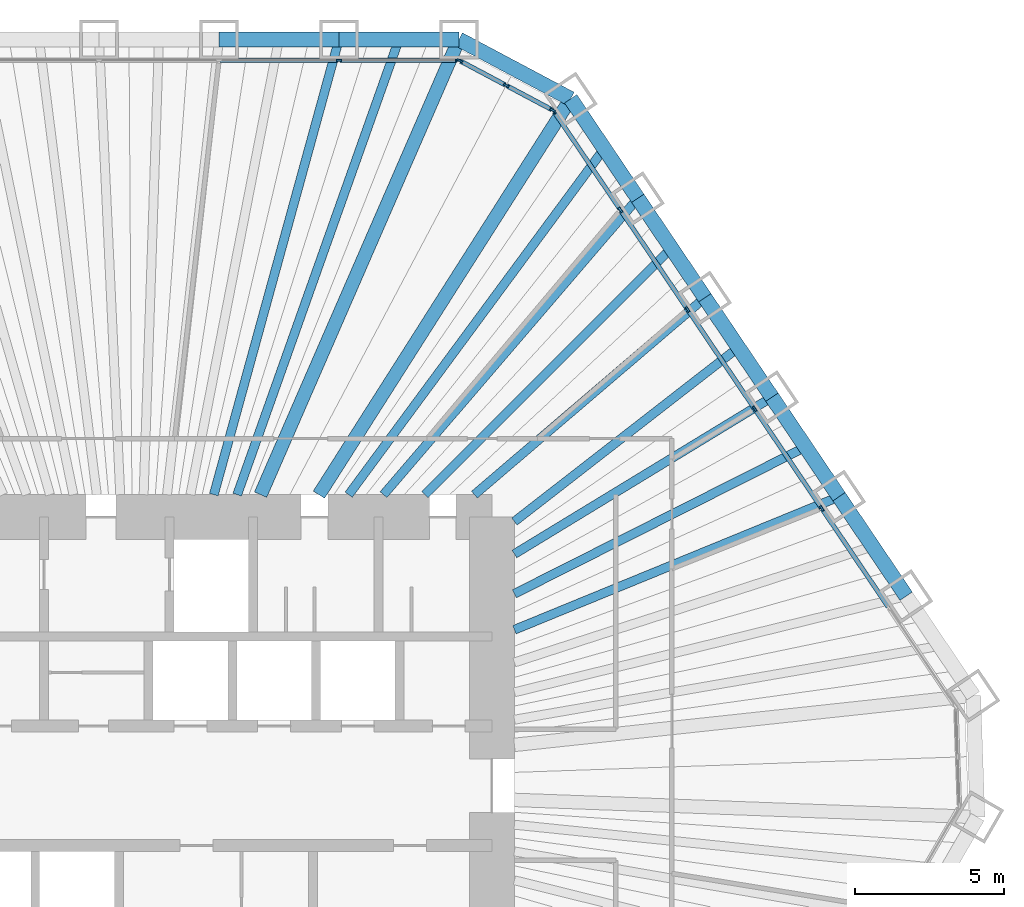
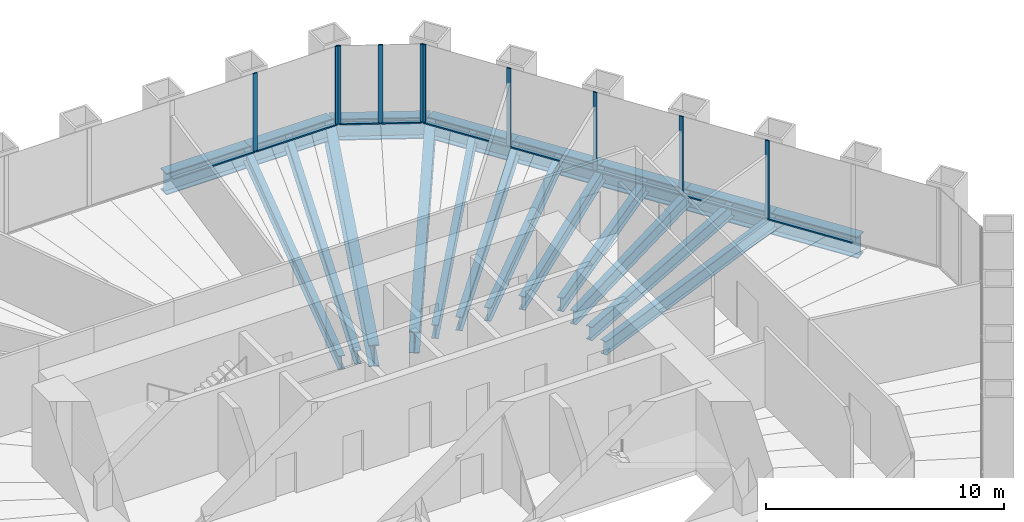
# One storey, part 7 of 13: 20 beams, 19 members, 3 elements without a shape of their own.
"""IFC4 building model written with IfcOpenShell, lengths in metres."""

from ifc_helpers import new_model, si_unit, direction, frame, origin, origin_2d, place, context, subcontext, project, spatial, rectangle, i_section, extrude, material, material_profile, profile_set, type_object, element, aggregate, save


model = new_model("IFC4")

# Units and contexts
model_context = context("Model", 3, precision=1e-05, world=origin(), true_north=direction((0.0, 1.0)))
body_context = subcontext(model_context, "Body", "Model", "MODEL_VIEW")
ifc_project = project(units=[si_unit("LENGTHUNIT", "METRE"), si_unit("AREAUNIT", "SQUARE_METRE"), si_unit("VOLUMEUNIT", "CUBIC_METRE"), si_unit("PLANEANGLEUNIT", "RADIAN"), si_unit("MASSUNIT", "GRAM", prefix="KILO")], contexts=[model_context])

# Site, building, storey
site_placement = place(None, origin())
site = spatial("IfcSite", under=ifc_project, at=site_placement, CompositionType="ELEMENT")
building_placement = place(site_placement, origin())
building = spatial("IfcBuilding", under=site, at=building_placement, Name="Qingtian Harvest Tower", CompositionType="ELEMENT")
storey_placement = place(building_placement, frame((0.0, 0.0, 157.60009765625)))
storey = spatial("IfcBuildingStorey", under=building, at=storey_placement, Name="L33", CompositionType="ELEMENT", Elevation=157.60009765625)

# Beams
ifc_material_1 = material(Name="Steel SM570MC", Category="steel")
ifc_material_profile_1 = material_profile(ifc_material_1, i_section(OverallWidth=0.449951171875, OverallDepth=1.10009765625, WebThickness=0.02197265625, FlangeThickness=0.044921875, at=origin_2d()), Name="H1100x450x22x45")
ifc_profile_set_1 = profile_set([ifc_material_profile_1], Name="Steel SM570MC")
beam_type_1 = type_object("IfcBeamType", Name="Corner floor beam FB8 H1100x450x22x45", PredefinedType="BEAM", material=ifc_profile_set_1)
beam_1_placement = place(storey_placement, frame((10.892822265625, 25.0, -0.72021484375), z_axis=(-0.399451016538, -0.916754539333, 0.0), x_axis=(0.916754539333, -0.399451016538, 0.0)))
element("IfcBeam", 1, at=beam_1_placement, inside=storey, type_object=beam_type_1, Name="Floor beam FB8 N6", PredefinedType="BEAM", context=body_context, shape_type="SweptSolid", body=[
    extrude(i_section(OverallWidth=0.449951171875, OverallDepth=1.10009765625, WebThickness=0.02197265625, FlangeThickness=0.044921875, at=origin_2d()), origin(), (0.0, 0.0, 1.0), 16.634765625),
])
beam_2_placement = place(storey_placement, frame((14.634765625, 23.01025390625, -0.72021484375), z_axis=(-0.536660352939, -0.843798355997, 0.0), x_axis=(0.843798355997, -0.536660352939, 0.0)))
element("IfcBeam", 2, at=beam_2_placement, inside=storey, type_object=beam_type_1, Name="Floor beam FB8 NE0", PredefinedType="BEAM", context=body_context, shape_type="SweptSolid", body=[
    extrude(i_section(OverallWidth=0.449951171875, OverallDepth=1.10009765625, WebThickness=0.02197265625, FlangeThickness=0.044921875, at=origin_2d()), origin(), (0.0, 0.0, 1.0), 15.71484375),
])
ifc_material_2 = material(Name="Steel SN490B", Category="steel")
ifc_material_profile_2 = material_profile(ifc_material_2, i_section(OverallWidth=0.300048828125, OverallDepth=0.699951171875, WebThickness=0.012939453125, FlangeThickness=0.02392578125, at=origin_2d()), Name="H700x300x13x24")
ifc_profile_set_2 = profile_set([ifc_material_profile_2], Name="Steel SN490B")
beam_type_2 = type_object("IfcBeamType", Name="Floor beam FB2 H700x300x13x24", PredefinedType="BEAM", material=ifc_profile_set_2)
beam_3_placement = place(storey_placement, frame((6.873779296875, 25.0, -0.52001953125), z_axis=(-0.265119170108, -0.964215653078, 0.0), x_axis=(0.964215653078, -0.265119170108, 0.0)))
element("IfcBeam", 3, at=beam_3_placement, inside=storey, type_object=beam_type_2, Name="Floor beam FB2 N5", PredefinedType="BEAM", context=body_context, shape_type="SweptSolid", body=[
    extrude(i_section(OverallWidth=0.300048828125, OverallDepth=0.699951171875, WebThickness=0.012939453125, FlangeThickness=0.02392578125, at=origin_2d()), origin(), (0.0, 0.0, 1.0), 15.81591796875),
])
beam_4_placement = place(storey_placement, frame((16.88232421875, 19.67822265625, -0.52001953125), z_axis=(-0.651140196702, -0.758957471957, 0.0), x_axis=(0.758957471957, -0.651140196702, 0.0)))
element("IfcBeam", 4, at=beam_4_placement, inside=storey, type_object=beam_type_2, Name="Floor beam FB2 NE1", PredefinedType="BEAM", context=body_context, shape_type="SweptSolid", body=[
    extrude(i_section(OverallWidth=0.300048828125, OverallDepth=0.699951171875, WebThickness=0.012939453125, FlangeThickness=0.02392578125, at=origin_2d()), origin(), (0.0, 0.0, 1.0), 13.081298828125),
])
beam_5_placement = place(storey_placement, frame((19.129638671875, 16.346435546875, -0.52001953125), z_axis=(-0.760241810635, -0.649640199928, 0.0), x_axis=(0.649640199928, -0.760241810635, 0.0)))
element("IfcBeam", 5, at=beam_5_placement, inside=storey, type_object=beam_type_2, Name="Floor beam FB2 NE2", PredefinedType="BEAM", context=body_context, shape_type="SweptSolid", body=[
    extrude(i_section(OverallWidth=0.300048828125, OverallDepth=0.699951171875, WebThickness=0.012939453125, FlangeThickness=0.02392578125, at=origin_2d()), origin(), (0.0, 0.0, 1.0), 10.154052734375),
])
beam_6_placement = place(storey_placement, frame((21.377197265625, 13.014404296875, -0.52001953125), z_axis=(-0.854160745245, -0.520009058846, 0.0), x_axis=(0.520009058846, -0.854160745245, 0.0)))
element("IfcBeam", 6, at=beam_6_placement, inside=storey, type_object=beam_type_2, Name="Floor beam FB2 NE3", PredefinedType="BEAM", context=body_context, shape_type="SweptSolid", body=[
    extrude(i_section(OverallWidth=0.300048828125, OverallDepth=0.699951171875, WebThickness=0.012939453125, FlangeThickness=0.02392578125, at=origin_2d()), origin(), (0.0, 0.0, 1.0), 10.10009765625),
])
beam_7_placement = place(storey_placement, frame((23.62451171875, 9.682373046875, -0.52001953125), z_axis=(-0.925304541163, -0.379224875375, 0.0), x_axis=(0.379224875375, -0.925304541163, 0.0)))
element("IfcBeam", 7, at=beam_7_placement, inside=storey, type_object=beam_type_2, Name="Floor beam FB2 NE4", PredefinedType="BEAM", context=body_context, shape_type="SweptSolid", body=[
    extrude(i_section(OverallWidth=0.300048828125, OverallDepth=0.699951171875, WebThickness=0.012939453125, FlangeThickness=0.02392578125, at=origin_2d()), origin(), (0.0, 0.0, 1.0), 11.75244140625),
])
ifc_material_3 = material(Name="Steel SN490B", Category="steel")
ifc_material_profile_3 = material_profile(ifc_material_3, i_section(OverallWidth=0.300048828125, OverallDepth=0.699951171875, WebThickness=0.012939453125, FlangeThickness=0.02392578125, at=origin_2d()), Name="H700x300x13x24")
ifc_profile_set_3 = profile_set([ifc_material_profile_3], Name="Steel SN490B")
beam_type_3 = type_object("IfcBeamType", Name="Floor joist J2 H700x300x13x24", PredefinedType="JOIST", material=ifc_profile_set_3)
beam_8_placement = place(storey_placement, frame((8.88330078125, 25.0, -0.52001953125), z_axis=(-0.334829909573, -0.94227858495, 0.0), x_axis=(0.94227858495, -0.334829909573, 0.0)))
element("IfcBeam", 8, at=beam_8_placement, inside=storey, type_object=beam_type_3, Name="Floor joist J2 N5", PredefinedType="JOIST", context=body_context, shape_type="SweptSolid", body=[
    extrude(i_section(OverallWidth=0.300048828125, OverallDepth=0.699951171875, WebThickness=0.012939453125, FlangeThickness=0.02392578125, at=origin_2d()), origin(), (0.0, 0.0, 1.0), 16.18408203125),
])
beam_9_placement = place(storey_placement, frame((15.758544921875, 21.34423828125, -0.52001953125), z_axis=(-0.593960386058, -0.804494288229, 0.0), x_axis=(0.804494288229, -0.593960386058, 0.0)))
element("IfcBeam", 9, at=beam_9_placement, inside=storey, type_object=beam_type_3, Name="Floor joist J2 NE0", PredefinedType="JOIST", context=body_context, shape_type="SweptSolid", body=[
    extrude(i_section(OverallWidth=0.300048828125, OverallDepth=0.699951171875, WebThickness=0.012939453125, FlangeThickness=0.02392578125, at=origin_2d()), origin(), (0.0, 0.0, 1.0), 14.411865234375),
])
beam_10_placement = place(storey_placement, frame((18.005859375, 18.012451171875, -0.52001953125), z_axis=(-0.706970932755, -0.707242603524, 0.0), x_axis=(0.707242603524, -0.706970932755, 0.0)))
element("IfcBeam", 10, at=beam_10_placement, inside=storey, type_object=beam_type_3, Name="Floor joist J2 NE1", PredefinedType="JOIST", context=body_context, shape_type="SweptSolid", body=[
    extrude(i_section(OverallWidth=0.300048828125, OverallDepth=0.699951171875, WebThickness=0.012939453125, FlangeThickness=0.02392578125, at=origin_2d()), origin(), (0.0, 0.0, 1.0), 11.6826171875),
])
beam_11_placement = place(storey_placement, frame((20.25341796875, 14.680419921875, -0.52001953125), z_axis=(-0.789641272199, -0.61356879096, 0.0), x_axis=(0.61356879096, -0.789641272199, 0.0)))
element("IfcBeam", 11, at=beam_11_placement, inside=storey, type_object=beam_type_3, Name="Floor joist J2 NE2", PredefinedType="JOIST", context=body_context, shape_type="SweptSolid", body=[
    extrude(i_section(OverallWidth=0.300048828125, OverallDepth=0.699951171875, WebThickness=0.012939453125, FlangeThickness=0.02392578125, at=origin_2d()), origin(), (0.0, 0.0, 1.0), 9.502197265625),
])
beam_12_placement = place(storey_placement, frame((22.500732421875, 11.348388671875, -0.52001953125), z_axis=(-0.892861323685, -0.450331718478, 0.0), x_axis=(0.450331718478, -0.892861323685, 0.0)))
element("IfcBeam", 12, at=beam_12_placement, inside=storey, type_object=beam_type_3, Name="Floor joist J2 NE3", PredefinedType="JOIST", context=body_context, shape_type="SweptSolid", body=[
    extrude(i_section(OverallWidth=0.300048828125, OverallDepth=0.699951171875, WebThickness=0.012939453125, FlangeThickness=0.02392578125, at=origin_2d()), origin(), (0.0, 0.0, 1.0), 10.920654296875),
])

# Curtain wall, members
ifc_material_4 = material(Name="Bronze-anodised aluminium curtain wall", Category="aluminium")
curtain_wall_type = type_object("IfcCurtainWallType", Name="Curtain wall CW4 office", PredefinedType="USERDEFINED", material=ifc_material_4)
curtain_wall_1_placement = place(storey_placement, origin())
curtain_wall_1 = element("IfcCurtainWall", 13, at=curtain_wall_1_placement, inside=storey, type_object=curtain_wall_type, Name="Curtain wall CW4 L33 N0-5", ObjectType="RECESSED CURTAIN WALL", PredefinedType="USERDEFINED")
ifc_material_5 = material(Name="Bronze-anodised aluminium mullion", Category="aluminium")
ifc_material_profile_4 = material_profile(ifc_material_5, rectangle(XDim=0.06494140625, YDim=0.199951171875, at=origin_2d()), Name="AL 65x200")
ifc_profile_set_4 = profile_set([ifc_material_profile_4], Name="Bronze-anodised aluminium mullion")
member_type_1 = type_object("IfcMemberType", Name="Mullion CWM 65x200", PredefinedType="MULLION", material=ifc_profile_set_4)
member_1_placement = place(storey_placement, frame((6.873779296875, 24.300048828125, 0.0), z_axis=(0.0, 0.0, 1.0), x_axis=(0.0, 1.0, 0.0)))
member_1 = element("IfcMember", 14, at=member_1_placement, type_object=member_type_1, Name="CW4 mullion 6", PredefinedType="MULLION", context=body_context, shape_type="SweptSolid", body=[
    extrude(rectangle(XDim=0.06494140625, YDim=0.199951171875, at=origin_2d()), origin(), (0.0, 0.0, 1.0), 4.02978515625),
])
member_2_placement = place(storey_placement, frame((10.8603515625, 24.300048828125, 0.0), z_axis=(0.0, 0.0, 1.0), x_axis=(0.0, 1.0, 0.0)))
member_2 = element("IfcMember", 15, at=member_2_placement, type_object=member_type_1, Name="CW4 mullion 7", PredefinedType="MULLION", context=body_context, shape_type="SweptSolid", body=[
    extrude(rectangle(XDim=0.06494140625, YDim=0.199951171875, at=origin_2d()), origin(), (0.0, 0.0, 1.0), 4.02978515625),
])

curtain_wall_2_placement = place(storey_placement, origin())
curtain_wall_2 = element("IfcCurtainWall", 16, at=curtain_wall_2_placement, inside=storey, type_object=curtain_wall_type, Name="Curtain wall CW4 L33 NC", ObjectType="RECESSED CURTAIN WALL", PredefinedType="USERDEFINED")
member_3_placement = place(storey_placement, frame((10.92138671875, 24.28466796875, 0.0), z_axis=(0.0, 0.0, 1.0), x_axis=(0.469471562786, 0.882947592859, 0.0)))
member_3 = element("IfcMember", 17, at=member_3_placement, type_object=member_type_1, Name="CW4 mullion 1", PredefinedType="MULLION", context=body_context, shape_type="SweptSolid", body=[
    extrude(rectangle(XDim=0.06494140625, YDim=0.199951171875, at=origin_2d()), origin(), (0.0, 0.0, 1.0), 4.02978515625),
])
member_4_placement = place(storey_placement, frame((12.4736328125, 23.45947265625, 0.0), z_axis=(0.0, 0.0, 1.0), x_axis=(0.469471562786, 0.882947592859, 0.0)))
member_4 = element("IfcMember", 18, at=member_4_placement, type_object=member_type_1, Name="CW4 mullion 2", PredefinedType="MULLION", context=body_context, shape_type="SweptSolid", body=[
    extrude(rectangle(XDim=0.06494140625, YDim=0.199951171875, at=origin_2d()), origin(), (0.0, 0.0, 1.0), 4.02978515625),
])
member_5_placement = place(storey_placement, frame((14.02587890625, 22.634033203125, 0.0), z_axis=(0.0, 0.0, 1.0), x_axis=(0.469471562786, 0.882947592859, 0.0)))
member_5 = element("IfcMember", 19, at=member_5_placement, type_object=member_type_1, Name="CW4 mullion 3", PredefinedType="MULLION", context=body_context, shape_type="SweptSolid", body=[
    extrude(rectangle(XDim=0.06494140625, YDim=0.199951171875, at=origin_2d()), origin(), (0.0, 0.0, 1.0), 4.02978515625),
])

curtain_wall_3_placement = place(storey_placement, origin())
curtain_wall_3 = element("IfcCurtainWall", 20, at=curtain_wall_3_placement, inside=storey, type_object=curtain_wall_type, Name="Curtain wall CW4 L33 NE0-5", ObjectType="RECESSED CURTAIN WALL", PredefinedType="USERDEFINED")
member_6_placement = place(storey_placement, frame((14.07275390625, 22.592041015625, 0.0), z_axis=(0.0, 0.0, 1.0), x_axis=(0.829037572555, 0.559192903471, 0.0)))
member_6 = element("IfcMember", 21, at=member_6_placement, type_object=member_type_1, Name="CW4 mullion 1", PredefinedType="MULLION", context=body_context, shape_type="SweptSolid", body=[
    extrude(rectangle(XDim=0.06494140625, YDim=0.199951171875, at=origin_2d()), origin(), (0.0, 0.0, 1.0), 4.02978515625),
])
member_7_placement = place(storey_placement, frame((16.302001953125, 19.286865234375, 0.0), z_axis=(0.0, 0.0, 1.0), x_axis=(0.829037572555, 0.559192903471, 0.0)))
member_7 = element("IfcMember", 22, at=member_7_placement, type_object=member_type_1, Name="CW4 mullion 2", PredefinedType="MULLION", context=body_context, shape_type="SweptSolid", body=[
    extrude(rectangle(XDim=0.06494140625, YDim=0.199951171875, at=origin_2d()), origin(), (0.0, 0.0, 1.0), 4.02978515625),
])
member_8_placement = place(storey_placement, frame((18.54931640625, 15.954833984375, 0.0), z_axis=(0.0, 0.0, 1.0), x_axis=(0.829037572555, 0.559192903471, 0.0)))
member_8 = element("IfcMember", 23, at=member_8_placement, type_object=member_type_1, Name="CW4 mullion 3", PredefinedType="MULLION", context=body_context, shape_type="SweptSolid", body=[
    extrude(rectangle(XDim=0.06494140625, YDim=0.199951171875, at=origin_2d()), origin(), (0.0, 0.0, 1.0), 4.02978515625),
])
member_9_placement = place(storey_placement, frame((20.796875, 12.623046875, 0.0), z_axis=(0.0, 0.0, 1.0), x_axis=(0.829037572555, 0.559192903471, 0.0)))
member_9 = element("IfcMember", 24, at=member_9_placement, type_object=member_type_1, Name="CW4 mullion 4", PredefinedType="MULLION", context=body_context, shape_type="SweptSolid", body=[
    extrude(rectangle(XDim=0.06494140625, YDim=0.199951171875, at=origin_2d()), origin(), (0.0, 0.0, 1.0), 4.02978515625),
])
member_10_placement = place(storey_placement, frame((23.044189453125, 9.291015625, 0.0), z_axis=(0.0, 0.0, 1.0), x_axis=(0.829037572555, 0.559192903471, 0.0)))
member_10 = element("IfcMember", 25, at=member_10_placement, type_object=member_type_1, Name="CW4 mullion 5", PredefinedType="MULLION", context=body_context, shape_type="SweptSolid", body=[
    extrude(rectangle(XDim=0.06494140625, YDim=0.199951171875, at=origin_2d()), origin(), (0.0, 0.0, 1.0), 4.02978515625),
])

# Beams
ifc_material_6 = material(Name="Steel SM570MC", Category="steel")
ifc_material_profile_5 = material_profile(ifc_material_6, i_section(OverallWidth=0.5, OverallDepth=1.10009765625, WebThickness=0.02490234375, FlangeThickness=0.050048828125, at=origin_2d()), Name="H1100x500x25x50")
ifc_profile_set_5 = profile_set([ifc_material_profile_5], Name="Steel SM570MC")
beam_type_4 = type_object("IfcBeamType", Name="Spandrel beam SB2 H1100x500x25x50", PredefinedType="SPANDREL", material=ifc_profile_set_5)
beam_13_placement = place(storey_placement, frame((2.8544921875, 25.0, -0.550048828125), z_axis=(1.0, 0.0, 0.0), x_axis=(0.0, 1.0, 0.0)))
element("IfcBeam", 26, at=beam_13_placement, inside=storey, type_object=beam_type_4, Name="Spandrel SB2 N4", PredefinedType="SPANDREL", context=body_context, shape_type="SweptSolid", body=[
    extrude(i_section(OverallWidth=0.5, OverallDepth=1.10009765625, WebThickness=0.02490234375, FlangeThickness=0.050048828125, at=origin_2d()), origin(), (0.0, 0.0, 1.0), 4.019287109375),
])
beam_14_placement = place(storey_placement, frame((6.873779296875, 25.0, -0.550048828125), z_axis=(1.0, 0.0, 0.0), x_axis=(0.0, 1.0, 0.0)))
element("IfcBeam", 27, at=beam_14_placement, inside=storey, type_object=beam_type_4, Name="Spandrel SB2 N5", PredefinedType="SPANDREL", context=body_context, shape_type="SweptSolid", body=[
    extrude(i_section(OverallWidth=0.5, OverallDepth=1.10009765625, WebThickness=0.02490234375, FlangeThickness=0.050048828125, at=origin_2d()), origin(), (0.0, 0.0, 1.0), 4.01904296875),
])
beam_15_placement = place(storey_placement, frame((10.892822265625, 25.0, -0.550048828125), z_axis=(0.882935902835, -0.469493547863, 0.0), x_axis=(0.469493547863, 0.882935902835, 0.0)))
element("IfcBeam", 28, at=beam_15_placement, inside=storey, type_object=beam_type_4, Name="Spandrel SB2 NC", PredefinedType="SPANDREL", context=body_context, shape_type="SweptSolid", body=[
    extrude(i_section(OverallWidth=0.5, OverallDepth=1.10009765625, WebThickness=0.02490234375, FlangeThickness=0.050048828125, at=origin_2d()), origin(), (0.0, 0.0, 1.0), 4.238037109375),
])
beam_16_placement = place(storey_placement, frame((14.634765625, 23.01025390625, -0.550048828125), z_axis=(0.559205752254, -0.829028905796, 0.0), x_axis=(0.829028905796, 0.559205752254, 0.0)))
element("IfcBeam", 29, at=beam_16_placement, inside=storey, type_object=beam_type_4, Name="Spandrel SB2 NE0", PredefinedType="SPANDREL", context=body_context, shape_type="SweptSolid", body=[
    extrude(i_section(OverallWidth=0.5, OverallDepth=1.10009765625, WebThickness=0.02490234375, FlangeThickness=0.050048828125, at=origin_2d()), origin(), (0.0, 0.0, 1.0), 4.019287109375),
])
beam_17_placement = place(storey_placement, frame((16.88232421875, 19.67822265625, -0.550048828125), z_axis=(0.55919216322, -0.82903807186, 0.0), x_axis=(0.82903807186, 0.55919216322, 0.0)))
element("IfcBeam", 30, at=beam_17_placement, inside=storey, type_object=beam_type_4, Name="Spandrel SB2 NE1", PredefinedType="SPANDREL", context=body_context, shape_type="SweptSolid", body=[
    extrude(i_section(OverallWidth=0.5, OverallDepth=1.10009765625, WebThickness=0.02490234375, FlangeThickness=0.050048828125, at=origin_2d()), origin(), (0.0, 0.0, 1.0), 4.018798828125),
])
beam_18_placement = place(storey_placement, frame((19.129638671875, 16.346435546875, -0.550048828125), z_axis=(0.559205752254, -0.829028905796, 0.0), x_axis=(0.829028905796, 0.559205752254, 0.0)))
element("IfcBeam", 31, at=beam_18_placement, inside=storey, type_object=beam_type_4, Name="Spandrel SB2 NE2", PredefinedType="SPANDREL", context=body_context, shape_type="SweptSolid", body=[
    extrude(i_section(OverallWidth=0.5, OverallDepth=1.10009765625, WebThickness=0.02490234375, FlangeThickness=0.050048828125, at=origin_2d()), origin(), (0.0, 0.0, 1.0), 4.019287109375),
])
for number, where, z_axis, x_axis, name in (
    (32, (21.377197265625, 13.014404296875, -0.550048828125), (0.55916400171, -0.829057066306, 0.0), (0.829057066306, 0.55916400171, 0.0), "Spandrel SB2 NE3"),
    (33, (23.62451171875, 9.682373046875, -0.550048828125), (0.559233913953, -0.829009909159, 0.0), (0.829009909159, 0.559233913953, 0.0), "Spandrel SB2 NE4"),
):
    element("IfcBeam", number, at=place(storey_placement, frame(where, z_axis=z_axis, x_axis=x_axis)), inside=storey, type_object=beam_type_4, Name=name, PredefinedType="SPANDREL", context=body_context, shape_type="SweptSolid", body=[
        extrude(i_section(OverallWidth=0.5, OverallDepth=1.10009765625, WebThickness=0.02490234375, FlangeThickness=0.050048828125, at=origin_2d()), origin(), (0.0, 0.0, 1.0), 4.01904296875),
    ])

# Member
ifc_material_7 = material(Name="Bronze-anodised aluminium transom", Category="aluminium")
ifc_material_profile_6 = material_profile(ifc_material_7, rectangle(XDim=0.14990234375, YDim=0.06494140625, at=origin_2d()), Name="AL 65x150")
ifc_profile_set_6 = profile_set([ifc_material_profile_6], Name="Bronze-anodised aluminium transom")
member_type_2 = type_object("IfcMemberType", Name="Transom CWT 65x150", PredefinedType="USERDEFINED", material=ifc_profile_set_6)
member_11_placement = place(storey_placement, frame((2.886962890625, 24.300048828125, 0.032470703125), z_axis=(1.0, 0.0, 0.0), x_axis=(0.0, 1.0, 0.0)))
member_11 = element("IfcMember", 34, at=member_11_placement, type_object=member_type_2, Name="CW4 transom 5.1", ObjectType="TRANSOM", PredefinedType="USERDEFINED", context=body_context, shape_type="SweptSolid", body=[
    extrude(rectangle(XDim=0.14990234375, YDim=0.06494140625, at=origin_2d()), origin(), (0.0, 0.0, 1.0), 3.9541015625),
])

member_12_placement = place(storey_placement, frame((6.90625, 24.300048828125, 0.032470703125), z_axis=(1.0, 0.0, 0.0), x_axis=(0.0, 1.0, 0.0)))
member_12 = element("IfcMember", 35, at=member_12_placement, type_object=member_type_2, Name="CW4 transom 6.1", ObjectType="TRANSOM", PredefinedType="USERDEFINED", context=body_context, shape_type="SweptSolid", body=[
    extrude(rectangle(XDim=0.14990234375, YDim=0.06494140625, at=origin_2d()), origin(), (0.0, 0.0, 1.0), 3.92138671875),
])

aggregate(curtain_wall_1, [member_1, member_2, member_11, member_12])

member_13_placement = place(storey_placement, frame((10.9501953125, 24.26953125, 0.032470703125), z_axis=(0.882895287784, -0.469569921108, 0.0), x_axis=(0.469569921108, 0.882895287784, 0.0)))
member_13 = element("IfcMember", 36, at=member_13_placement, type_object=member_type_2, Name="CW4 transom 1.1", ObjectType="TRANSOM", PredefinedType="USERDEFINED", context=body_context, shape_type="SweptSolid", body=[
    extrude(rectangle(XDim=0.14990234375, YDim=0.06494140625, at=origin_2d()), origin(), (0.0, 0.0, 1.0), 1.69287109375),
])

member_14_placement = place(storey_placement, frame((12.502197265625, 23.444091796875, 0.032470703125), z_axis=(0.882986854304, -0.469397715297, 0.0), x_axis=(0.469397715297, 0.882986854304, 0.0)))
member_14 = element("IfcMember", 37, at=member_14_placement, type_object=member_type_2, Name="CW4 transom 2.1", ObjectType="TRANSOM", PredefinedType="USERDEFINED", context=body_context, shape_type="SweptSolid", body=[
    extrude(rectangle(XDim=0.14990234375, YDim=0.06494140625, at=origin_2d()), origin(), (0.0, 0.0, 1.0), 1.69287109375),
])

aggregate(curtain_wall_2, [member_3, member_4, member_5, member_13, member_14])

member_15_placement = place(storey_placement, frame((14.0908203125, 22.56494140625, 0.032470703125), z_axis=(0.55920336949, -0.82903051304, 0.0), x_axis=(0.82903051304, 0.55920336949, 0.0)))
member_15 = element("IfcMember", 38, at=member_15_placement, type_object=member_type_2, Name="CW4 transom 1.1", ObjectType="TRANSOM", PredefinedType="USERDEFINED", context=body_context, shape_type="SweptSolid", body=[
    extrude(rectangle(XDim=0.14990234375, YDim=0.06494140625, at=origin_2d()), origin(), (0.0, 0.0, 1.0), 3.92138671875),
])

member_16_placement = place(storey_placement, frame((16.320068359375, 19.260009765625, 0.032470703125), z_axis=(0.55920878069, -0.829026863014, 0.0), x_axis=(0.829026863014, 0.55920878069, 0.0)))
member_16 = element("IfcMember", 39, at=member_16_placement, type_object=member_type_2, Name="CW4 transom 2.1", ObjectType="TRANSOM", PredefinedType="USERDEFINED", context=body_context, shape_type="SweptSolid", body=[
    extrude(rectangle(XDim=0.14990234375, YDim=0.06494140625, at=origin_2d()), origin(), (0.0, 0.0, 1.0), 3.9541015625),
])

member_17_placement = place(storey_placement, frame((18.567626953125, 15.927978515625, 0.032470703125), z_axis=(0.559166343236, -0.82905548704, 0.0), x_axis=(0.82905548704, 0.559166343236, 0.0)))
member_17 = element("IfcMember", 40, at=member_17_placement, type_object=member_type_2, Name="CW4 transom 3.1", ObjectType="TRANSOM", PredefinedType="USERDEFINED", context=body_context, shape_type="SweptSolid", body=[
    extrude(rectangle(XDim=0.14990234375, YDim=0.06494140625, at=origin_2d()), origin(), (0.0, 0.0, 1.0), 3.9541015625),
])

member_18_placement = place(storey_placement, frame((20.81494140625, 12.595947265625, 0.032470703125), z_axis=(0.55920878069, -0.829026863014, 0.0), x_axis=(0.829026863014, 0.55920878069, 0.0)))
member_18 = element("IfcMember", 41, at=member_18_placement, type_object=member_type_2, Name="CW4 transom 4.1", ObjectType="TRANSOM", PredefinedType="USERDEFINED", context=body_context, shape_type="SweptSolid", body=[
    extrude(rectangle(XDim=0.14990234375, YDim=0.06494140625, at=origin_2d()), origin(), (0.0, 0.0, 1.0), 3.9541015625),
])

member_19_placement = place(storey_placement, frame((23.0625, 9.26416015625, 0.032470703125), z_axis=(0.559166343236, -0.82905548704, 0.0), x_axis=(0.82905548704, 0.559166343236, 0.0)))
member_19 = element("IfcMember", 42, at=member_19_placement, type_object=member_type_2, Name="CW4 transom 5.1", ObjectType="TRANSOM", PredefinedType="USERDEFINED", context=body_context, shape_type="SweptSolid", body=[
    extrude(rectangle(XDim=0.14990234375, YDim=0.06494140625, at=origin_2d()), origin(), (0.0, 0.0, 1.0), 3.9541015625),
])

aggregate(curtain_wall_3, [member_6, member_7, member_8, member_9, member_10, member_15, member_16, member_17, member_18, member_19])

save(model, "model.ifc")
